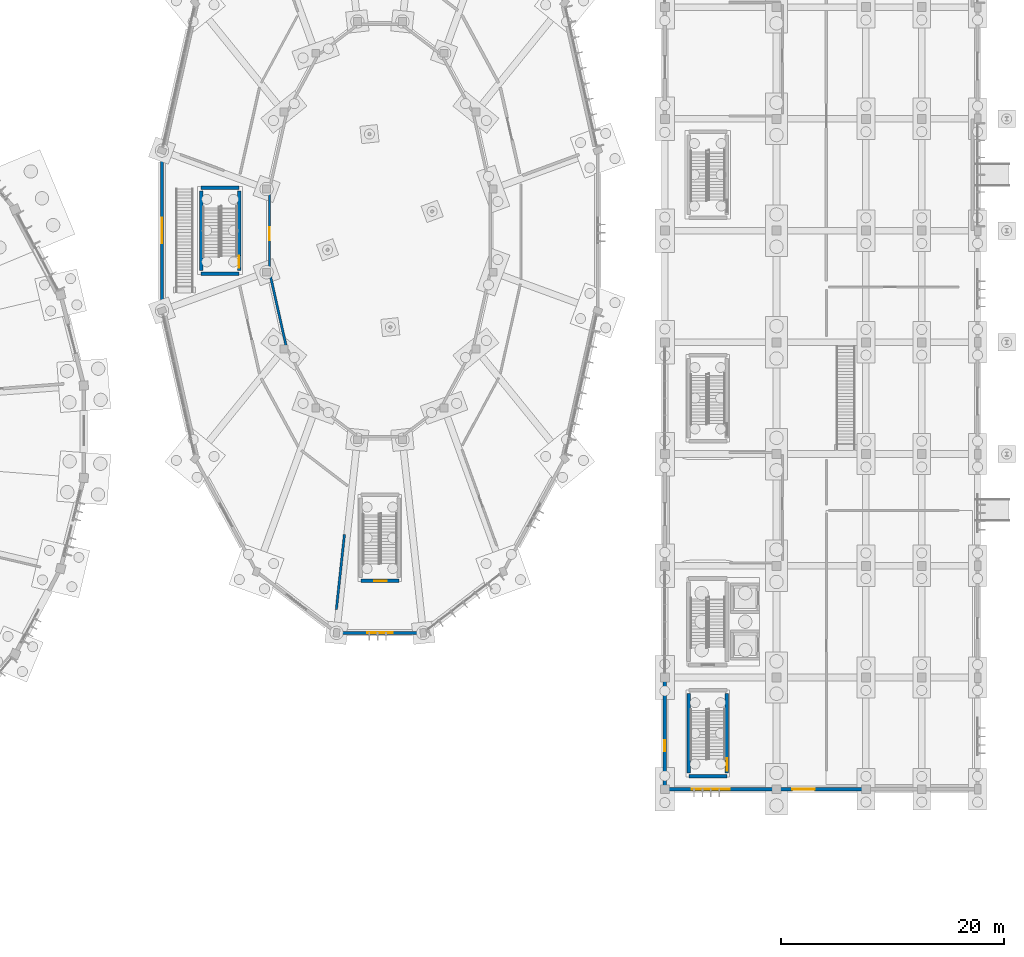
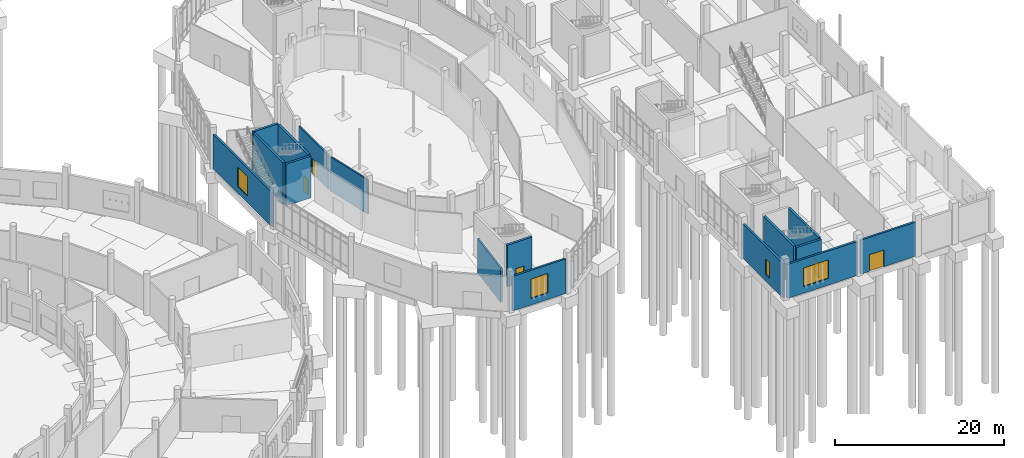
# One storey, part 87 of 140: 16 walls, 5 doors, 4 windows, 9 openings.
"""IFC4 building model written with IfcOpenShell, lengths in metres."""

from ifc_helpers import new_model, si_unit, direction, frame, frame_2d, origin, place, context, subcontext, project, spatial, rectangle, extrude, material, layer, layer_set, type_object, element, fill, save


model = new_model("IFC4")

# Units and contexts
model_context = context("Model", 3, precision=1e-05, world=origin(), true_north=direction((0.0, 1.0)))
body_context = subcontext(model_context, "Body", "Model", "MODEL_VIEW")
ifc_project = project(units=[si_unit("LENGTHUNIT", "METRE"), si_unit("AREAUNIT", "SQUARE_METRE"), si_unit("VOLUMEUNIT", "CUBIC_METRE"), si_unit("PLANEANGLEUNIT", "RADIAN"), si_unit("MASSUNIT", "GRAM", prefix="KILO")], contexts=[model_context])

# Site, building, storey
site_placement = place(None, origin())
site = spatial("IfcSite", under=ifc_project, at=site_placement, CompositionType="ELEMENT")
building_placement = place(site_placement, origin())
building = spatial("IfcBuilding", under=site, at=building_placement, Name="Corvandel Quay Wholesale Market", CompositionType="ELEMENT")
storey_placement = place(building_placement, origin())
storey = spatial("IfcBuildingStorey", under=building, at=storey_placement, Name="L00", CompositionType="ELEMENT", Elevation=0.0)

# Wall, opening, window
ifc_material_1 = material(Name="Buff-pigmented precast concrete C45/55", Category="concrete")
ifc_layer_1 = layer(ifc_material_1, 0.280029296875)
ifc_layer_set_1 = layer_set([ifc_layer_1], Name="Buff-pigmented precast concrete C45/55")
wall_type_1 = type_object("IfcWallType", Name="Colonnade Spandrel Precast Wall EW07 280", PredefinedType="SOLIDWALL", material=ifc_layer_set_1)
wall_1_placement = place(storey_placement, frame((220.0, 10.219970703125, 0.0), z_axis=(0.0, 0.0, 1.0), x_axis=(0.0, 1.0, 0.0)))
wall_1 = element("IfcWall", 1, at=wall_1_placement, inside=storey, type_object=wall_type_1, Name="Exterior Wall EW-0331", PredefinedType="SOLIDWALL", context=body_context, shape_type="SweptSolid", body=[
    extrude(rectangle(XDim=9.56005859375, YDim=0.280029296875, at=frame_2d((4.780029296875, 0.0))), origin(), (0.0, 0.0, 1.0), 4.9599609375),
])
opening_1_placement = place(wall_1_placement, frame((3.199951171875, 0.0, 0.949951171875)))
opening_1 = element("IfcOpeningElement", 2, at=opening_1_placement, cuts=wall_1, Name="Opening L00-W076", PredefinedType="OPENING", context=body_context, shape_type="SweptSolid", body=[
    extrude(rectangle(XDim=0.949951171875, YDim=2.199951171875, at=frame_2d((0.47509765625, 1.10009765625))), frame((0.0, 0.14990234375, 0.0), z_axis=(0.0, -1.0, 0.0), x_axis=(1.0, 0.0, 0.0)), (0.0, 0.0, 1.0), 0.300048828125),
])
ifc_material_2 = material(Name="Thermally broken bronze anodised aluminium and solar-control low-E double glazing", Category="aluminium")
window_type_1 = type_object("IfcWindowType", Name="Stair Tower Daylight Slot Window WN21 950x2200", PartitioningType="SINGLE_PANEL", PredefinedType="WINDOW", material=ifc_material_2)
window_1_placement = place(opening_1_placement, origin())
window_1 = element("IfcWindow", 3, at=window_1_placement, inside=storey, type_object=window_type_1, Name="Window L00-W076", OverallHeight=2.199951171875, OverallWidth=0.949951171875, PartitioningType="SINGLE_PANEL", PredefinedType="WINDOW", context=body_context, shape_type="SweptSolid", body=[
    extrude(rectangle(XDim=0.949951171875, YDim=2.199951171875, at=frame_2d((0.47509765625, 1.10009765625))), frame((0.0, 0.030029296875, 0.0), z_axis=(0.0, -1.0, 0.0), x_axis=(1.0, 0.0, 0.0)), (0.0, 0.0, 1.0), 0.06005859375),
])
fill(opening_1, window_1)

wall_2_placement = place(storey_placement, frame((220.219970703125, 10.0, 0.0), z_axis=(0.0, 0.0, 1.0), x_axis=(1.0, 0.0, 0.0)))
wall_2 = element("IfcWall", 4, at=wall_2_placement, inside=storey, type_object=wall_type_1, Name="Exterior Wall EW-0341", PredefinedType="SOLIDWALL", context=body_context, shape_type="SweptSolid", body=[
    extrude(rectangle(XDim=9.56005859375, YDim=0.280029296875, at=frame_2d((4.780029296875, 0.0))), origin(), (0.0, 0.0, 1.0), 4.909912109375),
])
opening_2_placement = place(wall_2_placement, frame((2.199951171875, 0.0, 0.949951171875)))
opening_2 = element("IfcOpeningElement", 5, at=opening_2_placement, cuts=wall_2, Name="Opening L00-W081", PredefinedType="OPENING", context=body_context, shape_type="SweptSolid", body=[
    extrude(rectangle(XDim=3.39990234375, YDim=2.699951171875, at=frame_2d((1.699951171875, 1.35009765625))), frame((0.0, 0.14990234375, 0.0), z_axis=(0.0, -1.0, 0.0), x_axis=(1.0, 0.0, 0.0)), (0.0, 0.0, 1.0), 0.300048828125),
])
window_type_2 = type_object("IfcWindowType", Name="Waterfront Cafe Picture Window WN17 3400x2700", PartitioningType="SINGLE_PANEL", PredefinedType="WINDOW", material=ifc_material_2)
window_2_placement = place(opening_2_placement, origin())
window_2 = element("IfcWindow", 6, at=window_2_placement, inside=storey, type_object=window_type_2, Name="Window L00-W081", OverallHeight=2.699951171875, OverallWidth=3.39990234375, PartitioningType="SINGLE_PANEL", PredefinedType="WINDOW", context=body_context, shape_type="SweptSolid", body=[
    extrude(rectangle(XDim=3.39990234375, YDim=2.699951171875, at=frame_2d((1.699951171875, 1.35009765625))), frame((0.0, 0.030029296875, 0.0), z_axis=(0.0, -1.0, 0.0), x_axis=(1.0, 0.0, 0.0)), (0.0, 0.0, 1.0), 0.06005859375),
])
fill(opening_2, window_2)

# Wall, opening, door
wall_3_placement = place(storey_placement, frame((230.219970703125, 10.0, 0.0), z_axis=(0.0, 0.0, 1.0), x_axis=(1.0, 0.0, 0.0)))
wall_3 = element("IfcWall", 7, at=wall_3_placement, inside=storey, type_object=wall_type_1, Name="Exterior Wall EW-0343", PredefinedType="SOLIDWALL", context=body_context, shape_type="SweptSolid", body=[
    extrude(rectangle(XDim=7.56005859375, YDim=0.280029296875, at=frame_2d((3.780029296875, 0.0))), origin(), (0.0, 0.0, 1.0), 4.909912109375),
])
opening_3_placement = place(wall_3_placement, frame((1.199951171875, 0.0, 0.0)))
opening_3 = element("IfcOpeningElement", 8, at=opening_3_placement, cuts=wall_3, Name="Opening L00-D055", PredefinedType="OPENING", context=body_context, shape_type="SweptSolid", body=[
    extrude(rectangle(XDim=2.0, YDim=2.39990234375, at=frame_2d((1.0, 1.199951171875))), frame((0.0, 0.14990234375, 0.0), z_axis=(0.0, -1.0, 0.0), x_axis=(1.0, 0.0, 0.0)), (0.0, 0.0, 1.0), 0.300048828125),
])
ifc_material_3 = material(Name="Bronze anodised aluminium and laminated glass", Category="aluminium")
door_type_1 = type_object("IfcDoorType", Name="Concourse Double Exit Door ED02 2000x2400", OperationType="DOUBLE_DOOR_SINGLE_SWING", PredefinedType="DOOR", material=ifc_material_3)
door_1_placement = place(opening_3_placement, origin())
door_1 = element("IfcDoor", 9, at=door_1_placement, inside=storey, type_object=door_type_1, Name="South Waterfront Exit", OperationType="DOUBLE_DOOR_SINGLE_SWING", OverallHeight=2.39990234375, OverallWidth=2.0, PredefinedType="DOOR", context=body_context, shape_type="SweptSolid", body=[
    extrude(rectangle(XDim=2.0, YDim=2.39990234375, at=frame_2d((1.0, 1.199951171875))), frame((0.0, 0.02490234375, 0.0), z_axis=(0.0, -1.0, 0.0), x_axis=(1.0, 0.0, 0.0)), (0.0, 0.0, 1.0), 0.050048828125),
])
fill(opening_3, door_1)

# Wall
ifc_material_4 = material(Name="Gypsum-clad steel stud framing", Category="steel")
ifc_layer_2 = layer(ifc_material_4, 0.2099609375)
ifc_layer_set_2 = layer_set([ifc_layer_2], Name="Gypsum-clad steel stud framing")
wall_type_2 = type_object("IfcWallType", Name="Corridor Rated Partition PT02 210", PredefinedType="PARTITIONING", material=ifc_layer_set_2)
wall_4_placement = place(storey_placement, frame((186.101806640625, 49.70263671875, 0.0), z_axis=(0.0, 0.0, 1.0), x_axis=(-0.218983275202, 0.975728612464, 0.0)))
element("IfcWall", 10, at=wall_4_placement, inside=storey, type_object=wall_type_2, Name="Interior Wall IW-0680", PredefinedType="PARTITIONING", context=body_context, shape_type="SweptSolid", body=[
    extrude(rectangle(XDim=6.546630859375, YDim=0.2099609375, at=frame_2d((3.2734375, 0.0))), origin(), (0.0, 0.0, 1.0), 4.93994140625),
])

# Wall, opening, door
wall_5_placement = place(storey_placement, frame((184.6201171875, 56.52490234375, 0.0), z_axis=(0.0, 0.0, 1.0), x_axis=(0.0, 1.0, 0.0)))
wall_5 = element("IfcWall", 11, at=wall_5_placement, inside=storey, type_object=wall_type_2, Name="Interior Wall IW-0681", PredefinedType="PARTITIONING", context=body_context, shape_type="SweptSolid", body=[
    extrude(rectangle(XDim=6.9501953125, YDim=0.2099609375, at=frame_2d((3.47509765625, 0.0))), origin(), (0.0, 0.0, 1.0), 4.93994140625),
])
opening_4_placement = place(wall_5_placement, frame((2.625, 0.0, 0.0)))
opening_4 = element("IfcOpeningElement", 12, at=opening_4_placement, cuts=wall_5, Name="Opening L00-D105", PredefinedType="OPENING", context=body_context, shape_type="SweptSolid", body=[
    extrude(rectangle(XDim=1.14990234375, YDim=2.199951171875, at=frame_2d((0.574951171875, 1.10009765625))), frame((0.0, 0.114990234375, 0.0), z_axis=(0.0, -1.0, 0.0), x_axis=(1.0, 0.0, 0.0)), (0.0, 0.0, 1.0), 0.22998046875),
])
ifc_material_5 = material(Name="HPL-faced hygienic timber core", Category="wood")
door_type_2 = type_object("IfcDoorType", Name="Inspection Suite Door ID20 1150x2200L", OperationType="SINGLE_SWING_LEFT", PredefinedType="DOOR", material=ifc_material_5)
door_2_placement = place(opening_4_placement, origin())
door_2 = element("IfcDoor", 13, at=door_2_placement, inside=storey, type_object=door_type_2, Name="Auction Lot Inspection Hall Door", OperationType="SINGLE_SWING_LEFT", OverallHeight=2.199951171875, OverallWidth=1.14990234375, PredefinedType="DOOR", context=body_context, shape_type="SweptSolid", body=[
    extrude(rectangle(XDim=1.14990234375, YDim=2.199951171875, at=frame_2d((0.574951171875, 1.10009765625))), frame((0.0, 0.02490234375, 0.0), z_axis=(0.0, -1.0, 0.0), x_axis=(1.0, 0.0, 0.0)), (0.0, 0.0, 1.0), 0.050048828125),
])
fill(opening_4, door_2)

# Wall
wall_6_placement = place(storey_placement, frame((191.326416015625, 32.787109375, 0.0), z_axis=(0.0, 0.0, 1.0), x_axis=(-0.107128203979, -0.994245215182, 0.0)))
element("IfcWall", 14, at=wall_6_placement, inside=storey, type_object=wall_type_2, Name="Interior Wall IW-0705", PredefinedType="PARTITIONING", context=body_context, shape_type="SweptSolid", body=[
    extrude(rectangle(XDim=6.750244140625, YDim=0.2099609375, at=frame_2d((3.375, 0.0))), origin(), (0.0, 0.0, 1.0), 4.93994140625),
])

# Wall, opening, window
ifc_material_6 = material(Name="Terracotta precast concrete C45/55", Category="masonry")
ifc_layer_3 = layer(ifc_material_6, 0.260009765625)
ifc_layer_set_3 = layer_set([ifc_layer_3], Name="Terracotta precast concrete C45/55")
wall_type_3 = type_object("IfcWallType", Name="Pavilion Pilaster Infill Wall EW08 260", PredefinedType="SOLIDWALL", material=ifc_layer_set_3)
wall_7_placement = place(storey_placement, frame((175.0, 66.94091796875, 0.0), z_axis=(0.0, 0.0, 1.0), x_axis=(0.0, -1.0, 0.0)))
wall_7 = element("IfcWall", 15, at=wall_7_placement, inside=storey, type_object=wall_type_3, Name="Exterior Wall EW-0177", PredefinedType="SOLIDWALL", context=body_context, shape_type="SweptSolid", body=[
    extrude(rectangle(XDim=13.8818359375, YDim=0.260009765625, at=frame_2d((6.94091796875, 0.0))), origin(), (0.0, 0.0, 1.0), 4.989990234375),
])
opening_5_placement = place(wall_7_placement, frame((5.791015625, 0.0, 0.949951171875)))
opening_5 = element("IfcOpeningElement", 16, at=opening_5_placement, cuts=wall_7, Name="Opening L00-W070", PredefinedType="OPENING", context=body_context, shape_type="SweptSolid", body=[
    extrude(rectangle(XDim=2.300048828125, YDim=2.800048828125, at=frame_2d((1.14990234375, 1.39990234375))), frame((0.0, 0.139892578125, 0.0), z_axis=(0.0, -1.0, 0.0), x_axis=(1.0, 0.0, 0.0)), (0.0, 0.0, 1.0), 0.280029296875),
])
window_type_3 = type_object("IfcWindowType", Name="Auction Hall Tall Facet Window WN11 2300x2800", PartitioningType="SINGLE_PANEL", PredefinedType="WINDOW", material=ifc_material_2)
window_3_placement = place(opening_5_placement, origin())
window_3 = element("IfcWindow", 17, at=window_3_placement, inside=storey, type_object=window_type_3, Name="Window L00-W070", OverallHeight=2.800048828125, OverallWidth=2.300048828125, PartitioningType="SINGLE_PANEL", PredefinedType="WINDOW", context=body_context, shape_type="SweptSolid", body=[
    extrude(rectangle(XDim=2.300048828125, YDim=2.800048828125, at=frame_2d((1.14990234375, 1.39990234375))), frame((0.0, 0.030029296875, 0.0), z_axis=(0.0, -1.0, 0.0), x_axis=(1.0, 0.0, 0.0)), (0.0, 0.0, 1.0), 0.06005859375),
])
fill(opening_5, window_3)

wall_8_placement = place(storey_placement, frame((190.841064453125, 24.0, 0.0), z_axis=(0.0, 0.0, 1.0), x_axis=(1.0, 0.0, 0.0)))
wall_8 = element("IfcWall", 18, at=wall_8_placement, inside=storey, type_object=wall_type_3, Name="Exterior Wall EW-0186", PredefinedType="SOLIDWALL", context=body_context, shape_type="SweptSolid", body=[
    extrude(rectangle(XDim=7.31787109375, YDim=0.260009765625, at=frame_2d((3.658935546875, 0.0))), origin(), (0.0, 0.0, 1.0), 4.989990234375),
])
opening_6_placement = place(wall_8_placement, frame((2.509033203125, 0.0, 0.949951171875)))
opening_6 = element("IfcOpeningElement", 19, at=opening_6_placement, cuts=wall_8, Name="Opening L00-W072", PredefinedType="OPENING", context=body_context, shape_type="SweptSolid", body=[
    extrude(rectangle(XDim=2.300048828125, YDim=2.800048828125, at=frame_2d((1.14990234375, 1.39990234375))), frame((0.0, 0.139892578125, 0.0), z_axis=(0.0, -1.0, 0.0), x_axis=(1.0, 0.0, 0.0)), (0.0, 0.0, 1.0), 0.280029296875),
])
window_4_placement = place(opening_6_placement, origin())
window_4 = element("IfcWindow", 20, at=window_4_placement, inside=storey, type_object=window_type_3, Name="Window L00-W072", OverallHeight=2.800048828125, OverallWidth=2.300048828125, PartitioningType="SINGLE_PANEL", PredefinedType="WINDOW", context=body_context, shape_type="SweptSolid", body=[
    extrude(rectangle(XDim=2.300048828125, YDim=2.800048828125, at=frame_2d((1.14990234375, 1.39990234375))), frame((0.0, 0.030029296875, 0.0), z_axis=(0.0, -1.0, 0.0), x_axis=(1.0, 0.0, 0.0)), (0.0, 0.0, 1.0), 0.06005859375),
])
fill(opening_6, window_4)

# Wall, opening, door
ifc_material_7 = material(Name="Concrete C40/50", Category="concrete")
ifc_layer_4 = layer(ifc_material_7, 0.300048828125)
ifc_layer_set_4 = layer_set([ifc_layer_4], Name="Concrete C40/50")
wall_type_4 = type_object("IfcWallType", Name="Stair Shaft Shear Wall SW02 300", PredefinedType="SHEAR", material=ifc_layer_set_4)
wall_9_placement = place(storey_placement, frame((192.800048828125, 28.64990234375, 0.0), z_axis=(0.0, 0.0, 1.0), x_axis=(1.0, 0.0, 0.0)))
wall_9 = element("IfcWall", 21, at=wall_9_placement, inside=storey, type_object=wall_type_4, Name="Shear Wall IW-0089", PredefinedType="SHEAR", context=body_context, shape_type="SweptSolid", body=[
    extrude(rectangle(XDim=3.39990234375, YDim=0.300048828125, at=frame_2d((1.699951171875, 0.0))), origin(), (0.0, 0.0, 1.0), 6.0),
])
opening_7_placement = place(wall_9_placement, frame((1.199951171875, 0.0, 0.0)))
opening_7 = element("IfcOpeningElement", 22, at=opening_7_placement, cuts=wall_9, Name="Opening L00-D064", PredefinedType="OPENING", context=body_context, shape_type="SweptSolid", body=[
    extrude(rectangle(XDim=1.10009765625, YDim=2.199951171875, at=frame_2d((0.550048828125, 1.10009765625))), frame((0.0, 0.159912109375, 0.0), z_axis=(0.0, -1.0, 0.0), x_axis=(1.0, 0.0, 0.0)), (0.0, 0.0, 1.0), 0.320068359375),
])
ifc_material_8 = material(Name="Galvanised fire-rated hollow steel", Category="steel")
door_type_3 = type_object("IfcDoorType", Name="Exit Stair Fire Door ID01 1100x2200L", OperationType="SINGLE_SWING_LEFT", PredefinedType="DOOR", material=ifc_material_8)
door_3_placement = place(opening_7_placement, origin())
door_3 = element("IfcDoor", 23, at=door_3_placement, inside=storey, type_object=door_type_3, Name="Exit Stair Door SH09-L00", OperationType="SINGLE_SWING_LEFT", OverallHeight=2.199951171875, OverallWidth=1.10009765625, PredefinedType="DOOR", context=body_context, shape_type="SweptSolid", body=[
    extrude(rectangle(XDim=1.10009765625, YDim=2.199951171875, at=frame_2d((0.550048828125, 1.10009765625))), frame((0.0, 0.02490234375, 0.0), z_axis=(0.0, -1.0, 0.0), x_axis=(1.0, 0.0, 0.0)), (0.0, 0.0, 1.0), 0.050048828125),
])
fill(opening_7, door_3)

# Walls
for number, where, z_axis, x_axis, name in (
    (24, (178.5, 56.14990234375, 0.0), (0.0, 0.0, 1.0), (1.0, 0.0, 0.0), "Shear Wall IW-0101"),
    (25, (178.5, 63.85009765625, 0.0), (0.0, 0.0, 1.0), (1.0, 0.0, 0.0), "Shear Wall IW-0102"),
):
    element("IfcWall", number, at=place(storey_placement, frame(where, z_axis=z_axis, x_axis=x_axis)), inside=storey, type_object=wall_type_4, Name=name, PredefinedType="SHEAR", context=body_context, shape_type="SweptSolid", body=[
        extrude(rectangle(XDim=3.39990234375, YDim=0.300048828125, at=frame_2d((1.699951171875, 0.0))), origin(), (0.0, 0.0, 1.0), 6.0),
    ])
wall_10_placement = place(storey_placement, frame((178.5, 56.43994140625, 0.0), z_axis=(0.0, 0.0, 1.0), x_axis=(0.0, 1.0, 0.0)))
element("IfcWall", 26, at=wall_10_placement, inside=storey, type_object=wall_type_4, Name="Shear Wall IW-0103", PredefinedType="SHEAR", context=body_context, shape_type="SweptSolid", body=[
    extrude(rectangle(XDim=7.1201171875, YDim=0.300048828125, at=frame_2d((3.56005859375, 0.0))), origin(), (0.0, 0.0, 1.0), 6.0),
])

# Wall, opening, door
wall_11_placement = place(storey_placement, frame((181.89990234375, 56.43994140625, 0.0), z_axis=(0.0, 0.0, 1.0), x_axis=(0.0, 1.0, 0.0)))
wall_11 = element("IfcWall", 27, at=wall_11_placement, inside=storey, type_object=wall_type_4, Name="Shear Wall IW-0104", PredefinedType="SHEAR", context=body_context, shape_type="SweptSolid", body=[
    extrude(rectangle(XDim=7.1201171875, YDim=0.300048828125, at=frame_2d((3.56005859375, 0.0))), origin(), (0.0, 0.0, 1.0), 6.0),
])
opening_8_placement = place(wall_11_placement, frame((0.219970703125, 0.0, 0.0)))
opening_8 = element("IfcOpeningElement", 28, at=opening_8_placement, cuts=wall_11, Name="Opening L00-D065", PredefinedType="OPENING", context=body_context, shape_type="SweptSolid", body=[
    extrude(rectangle(XDim=1.10009765625, YDim=2.199951171875, at=frame_2d((0.550048828125, 1.10009765625))), frame((0.0, 0.159912109375, 0.0), z_axis=(0.0, -1.0, 0.0), x_axis=(1.0, 0.0, 0.0)), (0.0, 0.0, 1.0), 0.320068359375),
])
door_type_4 = type_object("IfcDoorType", Name="Exit Stair Fire Door ID02 1100x2200R", OperationType="SINGLE_SWING_RIGHT", PredefinedType="DOOR", material=ifc_material_8)
door_4_placement = place(opening_8_placement, origin())
door_4 = element("IfcDoor", 29, at=door_4_placement, inside=storey, type_object=door_type_4, Name="Exit Stair Door SH10-L00", OperationType="SINGLE_SWING_RIGHT", OverallHeight=2.199951171875, OverallWidth=1.10009765625, PredefinedType="DOOR", context=body_context, shape_type="SweptSolid", body=[
    extrude(rectangle(XDim=1.10009765625, YDim=2.199951171875, at=frame_2d((0.550048828125, 1.10009765625))), frame((0.0, 0.02490234375, 0.0), z_axis=(0.0, -1.0, 0.0), x_axis=(1.0, 0.0, 0.0)), (0.0, 0.0, 1.0), 0.050048828125),
])
fill(opening_8, door_4)

# Walls
wall_12_placement = place(storey_placement, frame((222.14990234375, 11.14990234375, 0.0), z_axis=(0.0, 0.0, 1.0), x_axis=(1.0, 0.0, 0.0)))
element("IfcWall", 30, at=wall_12_placement, inside=storey, type_object=wall_type_4, Name="Shear Wall IW-0209", PredefinedType="SHEAR", context=body_context, shape_type="SweptSolid", body=[
    extrude(rectangle(XDim=3.400146484375, YDim=0.300048828125, at=frame_2d((1.7001953125, 0.0))), origin(), (0.0, 0.0, 1.0), 6.0),
])
wall_13_placement = place(storey_placement, frame((222.14990234375, 11.43994140625, 0.0), z_axis=(0.0, 0.0, 1.0), x_axis=(0.0, 1.0, 0.0)))
element("IfcWall", 31, at=wall_13_placement, inside=storey, type_object=wall_type_4, Name="Shear Wall IW-0211", PredefinedType="SHEAR", context=body_context, shape_type="SweptSolid", body=[
    extrude(rectangle(XDim=7.1201171875, YDim=0.300048828125, at=frame_2d((3.56005859375, 0.0))), origin(), (0.0, 0.0, 1.0), 6.0),
])

# Wall, opening, door
wall_14_placement = place(storey_placement, frame((225.550048828125, 11.43994140625, 0.0), z_axis=(0.0, 0.0, 1.0), x_axis=(0.0, 1.0, 0.0)))
wall_14 = element("IfcWall", 32, at=wall_14_placement, inside=storey, type_object=wall_type_4, Name="Shear Wall IW-0212", PredefinedType="SHEAR", context=body_context, shape_type="SweptSolid", body=[
    extrude(rectangle(XDim=7.1201171875, YDim=0.300048828125, at=frame_2d((3.56005859375, 0.0))), origin(), (0.0, 0.0, 1.0), 6.0),
])
opening_9_placement = place(wall_14_placement, frame((0.219970703125, 0.0, 0.0)))
opening_9 = element("IfcOpeningElement", 33, at=opening_9_placement, cuts=wall_14, Name="Opening L00-D074", PredefinedType="OPENING", context=body_context, shape_type="SweptSolid", body=[
    extrude(rectangle(XDim=1.10009765625, YDim=2.199951171875, at=frame_2d((0.550048828125, 1.10009765625))), frame((0.0, 0.159912109375, 0.0), z_axis=(0.0, -1.0, 0.0), x_axis=(1.0, 0.0, 0.0)), (0.0, 0.0, 1.0), 0.320068359375),
])
door_5_placement = place(opening_9_placement, origin())
door_5 = element("IfcDoor", 34, at=door_5_placement, inside=storey, type_object=door_type_3, Name="Exit Stair Door SH19-L00", OperationType="SINGLE_SWING_LEFT", OverallHeight=2.199951171875, OverallWidth=1.10009765625, PredefinedType="DOOR", context=body_context, shape_type="SweptSolid", body=[
    extrude(rectangle(XDim=1.10009765625, YDim=2.199951171875, at=frame_2d((0.550048828125, 1.10009765625))), frame((0.0, 0.02490234375, 0.0), z_axis=(0.0, -1.0, 0.0), x_axis=(1.0, 0.0, 0.0)), (0.0, 0.0, 1.0), 0.050048828125),
])
fill(opening_9, door_5)

save(model, "model.ifc")
